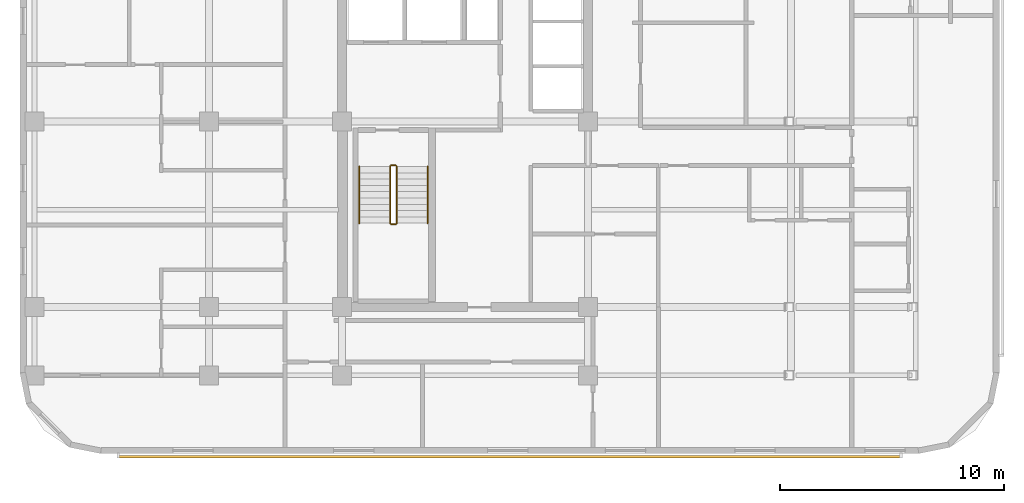
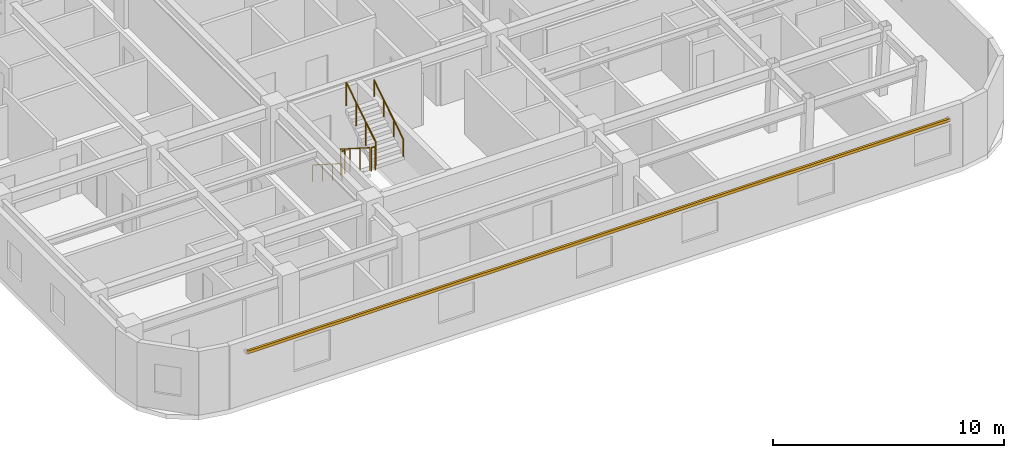
# One storey, part 8 of 11: 6 railings, 1 shading device.
"""IFC4 building model written with IfcOpenShell, lengths in metres."""

from ifc_helpers import new_model, si_unit, direction, frame, origin, origin_2d, place, context, subcontext, project, spatial, rectangle, circle, extrude, material, material_profile, profile_set, type_object, element, save


model = new_model("IFC4")

# Units and contexts
model_context = context("Model", 3, precision=1e-05, world=origin(), true_north=direction((0.0, 1.0)))
body_context = subcontext(model_context, "Body", "Model", "MODEL_VIEW")
ifc_project = project(units=[si_unit("LENGTHUNIT", "METRE"), si_unit("AREAUNIT", "SQUARE_METRE"), si_unit("VOLUMEUNIT", "CUBIC_METRE"), si_unit("PLANEANGLEUNIT", "RADIAN"), si_unit("MASSUNIT", "GRAM", prefix="KILO")], contexts=[model_context])

# Site, building, storey
site_placement = place(None, origin())
site = spatial("IfcSite", under=ifc_project, at=site_placement, CompositionType="ELEMENT")
building_placement = place(site_placement, origin())
building = spatial("IfcBuilding", under=site, at=building_placement, Name="Ochreholt Gables", CompositionType="ELEMENT")
storey_placement = place(building_placement, frame((0.0, 0.0, 121.199951171875)))
storey = spatial("IfcBuildingStorey", under=building, at=storey_placement, Name="L31", CompositionType="ELEMENT", Elevation=121.199951171875)

# Railings
ifc_material_1 = material(Name="Painted Steel Stair Guardrail", Category="steel")
railing_type_1 = type_object("IfcRailingType", Name="RL-ST-GUARD", PredefinedType="GUARDRAIL", material=ifc_material_1)
railing_1_placement = place(storey_placement, frame((26.35009765625, 15.5400390625, 0.179931640625)))
element("IfcRailing", 1, at=railing_1_placement, inside=storey, type_object=railing_type_1, Name="L31 ST-1 stair guard 1", PredefinedType="GUARDRAIL", context=body_context, shape_type="SweptSolid", body=[
    extrude(circle(Radius=0.02392578125, at=origin_2d()), frame((0.0, 0.0, 1.22607421875), z_axis=(0.0, -0.842912820907, 0.538050161556), x_axis=(1.0, 0.0, 0.0)), (0.0, 0.0, 1.0), 3.010986328125),
    extrude(circle(Radius=0.02099609375, at=origin_2d()), origin(), (0.0, 0.0, 1.0), 1.201904296875),
    extrude(circle(Radius=0.02099609375, at=origin_2d()), frame((0.0, -0.845947265625, 0.5400390625)), (0.0, 0.0, 1.0), 1.201904296875),
    extrude(circle(Radius=0.02099609375, at=origin_2d()), frame((0.0, -1.692138671875, 1.080078125)), (0.0, 0.0, 1.0), 1.201904296875),
    extrude(circle(Radius=0.02099609375, at=origin_2d()), frame((0.0, -2.5380859375, 1.6201171875)), (0.0, 0.0, 1.0), 1.201904296875),
])
railing_2_placement = place(storey_placement, frame((26.39990234375, 12.951904296875, 1.800048828125)))
element("IfcRailing", 2, at=railing_2_placement, inside=storey, type_object=railing_type_1, Name="L31 ST-1 stair guard 2", PredefinedType="GUARDRAIL", context=body_context, shape_type="SweptSolid", body=[
    extrude(circle(Radius=0.02392578125, at=origin_2d()), frame((0.0, 0.0, 1.22607421875), z_axis=(1.0, 0.0, 0.0), x_axis=(0.0, 1.0, 0.0)), (0.0, 0.0, 1.0), 0.2001953125),
    extrude(circle(Radius=0.02099609375, at=origin_2d()), origin(), (0.0, 0.0, 1.0), 1.201904296875),
    extrude(circle(Radius=0.02099609375, at=origin_2d()), frame((0.2001953125, 0.0, 0.0)), (0.0, 0.0, 1.0), 1.201904296875),
])
railing_3_placement = place(storey_placement, frame((26.64990234375, 13.001953125, 1.97998046875)))
element("IfcRailing", 3, at=railing_3_placement, inside=storey, type_object=railing_type_1, Name="L31 ST-1 stair guard 3", PredefinedType="GUARDRAIL", context=body_context, shape_type="SweptSolid", body=[
    extrude(circle(Radius=0.02392578125, at=origin_2d()), frame((0.0, 0.0, 1.22607421875), z_axis=(0.0, 0.842912820907, 0.538050161556), x_axis=(-1.0, 0.0, 0.0)), (0.0, 0.0, 1.0), 3.010986328125),
    extrude(circle(Radius=0.02099609375, at=origin_2d()), origin(), (0.0, 0.0, 1.0), 1.201904296875),
    extrude(circle(Radius=0.02099609375, at=origin_2d()), frame((0.0, 0.845947265625, 0.5400390625)), (0.0, 0.0, 1.0), 1.201904296875),
    extrude(circle(Radius=0.02099609375, at=origin_2d()), frame((0.0, 1.692138671875, 1.080078125)), (0.0, 0.0, 1.0), 1.201904296875),
    extrude(circle(Radius=0.02099609375, at=origin_2d()), frame((0.0, 2.5380859375, 1.6201171875)), (0.0, 0.0, 1.0), 1.201904296875),
])
railing_4_placement = place(storey_placement, frame((26.39990234375, 15.590087890625, 0.0)))
element("IfcRailing", 4, at=railing_4_placement, inside=storey, type_object=railing_type_1, Name="L31 ST-1 stair guard 4", PredefinedType="GUARDRAIL", context=body_context, shape_type="SweptSolid", body=[
    extrude(circle(Radius=0.02392578125, at=origin_2d()), frame((0.0, 0.0, 1.22607421875), z_axis=(1.0, 0.0, 0.0), x_axis=(0.0, 1.0, 0.0)), (0.0, 0.0, 1.0), 0.2001953125),
    extrude(circle(Radius=0.02099609375, at=origin_2d()), origin(), (0.0, 0.0, 1.0), 1.201904296875),
    extrude(circle(Radius=0.02099609375, at=origin_2d()), frame((0.2001953125, 0.0, 0.0)), (0.0, 0.0, 1.0), 1.201904296875),
])
ifc_material_2 = material(Name="Brushed Stainless Steel Wall Handrail", Category="steel")
railing_type_2 = type_object("IfcRailingType", Name="RL-ST-HAND", PredefinedType="HANDRAIL", material=ifc_material_2)
railing_5_placement = place(storey_placement, frame((24.969970703125, 15.5400390625, 0.179931640625)))
element("IfcRailing", 5, at=railing_5_placement, inside=storey, type_object=railing_type_2, Name="L31 ST-1 stair handrail 1", PredefinedType="HANDRAIL", context=body_context, shape_type="SweptSolid", body=[
    extrude(circle(Radius=0.02392578125, at=origin_2d()), frame((0.0, 0.0, 0.8759765625), z_axis=(0.0, -0.842912820907, 0.538050161556), x_axis=(1.0, 0.0, 0.0)), (0.0, 0.0, 1.0), 3.010986328125),
    extrude(circle(Radius=0.02099609375, at=origin_2d()), origin(), (0.0, 0.0, 1.0), 0.851806640625),
    extrude(circle(Radius=0.02099609375, at=origin_2d()), frame((0.0, -0.845947265625, 0.5400390625)), (0.0, 0.0, 1.0), 0.851806640625),
    extrude(circle(Radius=0.02099609375, at=origin_2d()), frame((0.0, -1.692138671875, 1.080078125)), (0.0, 0.0, 1.0), 0.851806640625),
    extrude(circle(Radius=0.02099609375, at=origin_2d()), frame((0.0, -2.5380859375, 1.6201171875)), (0.0, 0.0, 1.0), 0.851806640625),
])
railing_6_placement = place(storey_placement, frame((28.030029296875, 13.001953125, 1.97998046875)))
element("IfcRailing", 6, at=railing_6_placement, inside=storey, type_object=railing_type_2, Name="L31 ST-1 stair handrail 2", PredefinedType="HANDRAIL", context=body_context, shape_type="SweptSolid", body=[
    extrude(circle(Radius=0.02392578125, at=origin_2d()), frame((0.0, 0.0, 0.8759765625), z_axis=(0.0, 0.842912820907, 0.538050161556), x_axis=(-1.0, 0.0, 0.0)), (0.0, 0.0, 1.0), 3.010986328125),
    extrude(circle(Radius=0.02099609375, at=origin_2d()), origin(), (0.0, 0.0, 1.0), 0.851806640625),
    extrude(circle(Radius=0.02099609375, at=origin_2d()), frame((0.0, 0.845947265625, 0.5400390625)), (0.0, 0.0, 1.0), 0.851806640625),
    extrude(circle(Radius=0.02099609375, at=origin_2d()), frame((0.0, 1.692138671875, 1.080078125)), (0.0, 0.0, 1.0), 0.851806640625),
    extrude(circle(Radius=0.02099609375, at=origin_2d()), frame((0.0, 2.5380859375, 1.6201171875)), (0.0, 0.0, 1.0), 0.851806640625),
])

# Shading device
ifc_material_3 = material(Name="Warm Ochre Glazed Terracotta Baguette", Category="masonry")
ifc_material_profile = material_profile(ifc_material_3, rectangle(XDim=0.110107421875, YDim=0.14990234375, at=origin_2d()), Name="TCBAG110X150")
ifc_profile_set = profile_set([ifc_material_profile], Name="Warm Ochre Glazed Terracotta Baguette")
shading_device_type = type_object("IfcShadingDeviceType", Name="SHD-BAGUETTE", PredefinedType="USERDEFINED", material=ifc_profile_set)
shading_device_placement = place(storey_placement, frame((14.199951171875, 2.550048828125, 2.840087890625), z_axis=(1.0, 0.0, 0.0), x_axis=(0.0, 1.0, 0.0)))
element("IfcShadingDevice", 7, at=shading_device_placement, inside=storey, type_object=shading_device_type, Name="L31 Terracotta Baguette Screen S-1", ObjectType="BAGUETTE", PredefinedType="USERDEFINED", context=body_context, shape_type="SweptSolid", body=[
    extrude(rectangle(XDim=0.110107421875, YDim=0.14990234375, at=origin_2d()), origin(), (0.0, 0.0, 1.0), 35.0),
])

save(model, "model.ifc")
